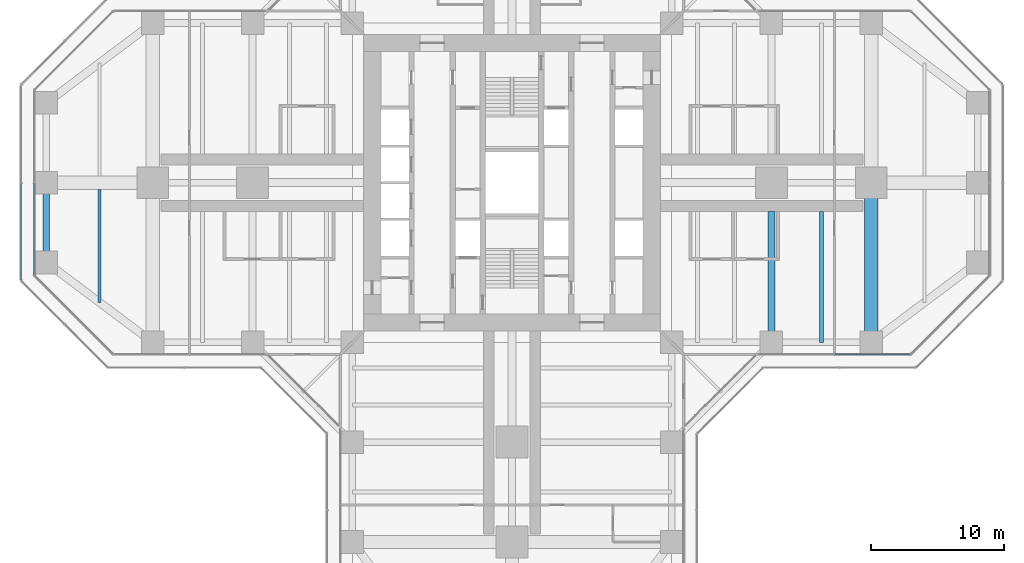
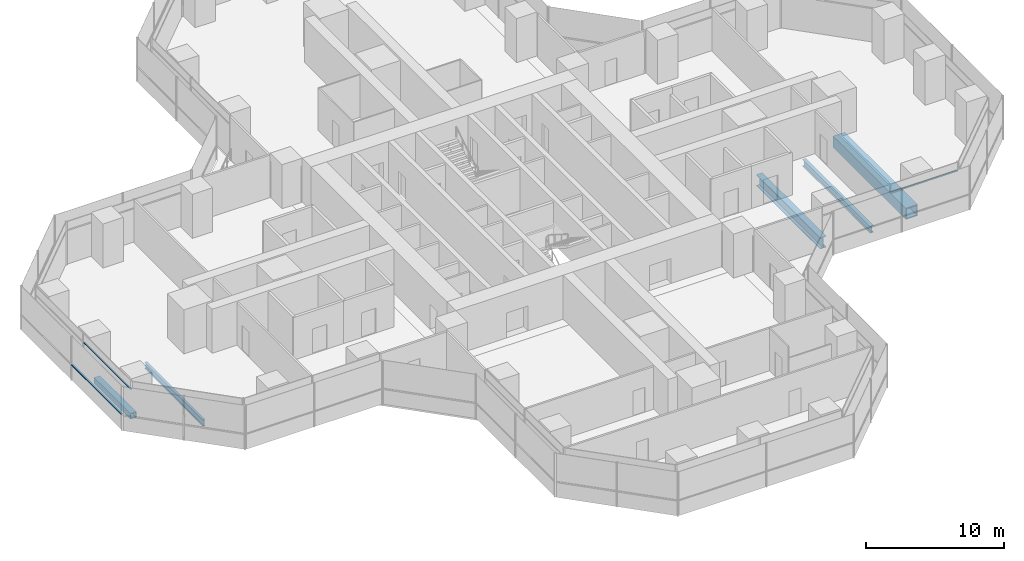
# One storey, part 7 of 22: 5 beams, 3 members, 3 elements without a shape of their own.
"""IFC4 building model written with IfcOpenShell, lengths in metres."""

from ifc_helpers import new_model, si_unit, direction, frame, origin, origin_2d, place, context, subcontext, project, spatial, rectangle, hollow_rectangle, i_section, extrude, material, material_profile, profile_set, type_object, element, aggregate, save


model = new_model("IFC4")

# Units and contexts
model_context = context("Model", 3, precision=1e-05, world=origin(), true_north=direction((0.0, 1.0)))
body_context = subcontext(model_context, "Body", "Model", "MODEL_VIEW")
ifc_project = project(units=[si_unit("LENGTHUNIT", "METRE"), si_unit("AREAUNIT", "SQUARE_METRE"), si_unit("VOLUMEUNIT", "CUBIC_METRE"), si_unit("PLANEANGLEUNIT", "RADIAN"), si_unit("MASSUNIT", "GRAM", prefix="KILO")], contexts=[model_context])

# Site, building, storey
site_placement = place(None, origin())
site = spatial("IfcSite", under=ifc_project, at=site_placement, CompositionType="ELEMENT")
building_placement = place(site_placement, origin())
building = spatial("IfcBuilding", under=site, at=building_placement, Name="Mizan Broadcast Tower", CompositionType="ELEMENT")
storey_placement = place(building_placement, frame((0.0, 0.0, 55.199951171875)))
storey = spatial("IfcBuildingStorey", under=building, at=storey_placement, Name="L10", CompositionType="ELEMENT", Elevation=55.199951171875)

# Beams
ifc_material_1 = material(Name="Steel S355", Category="steel")
ifc_material_profile_1 = material_profile(ifc_material_1, hollow_rectangle(XDim=0.5, YDim=0.5, WallThickness=0.030029296875, at=origin_2d()), Name="BOX 500x500x30")
ifc_profile_set_1 = profile_set([ifc_material_profile_1], Name="Steel S355")
beam_type_1 = type_object("IfcBeamType", Name="EDGE BEAM BOX 500x500x30", PredefinedType="SPANDREL", material=ifc_profile_set_1)
beam_1_placement = place(storey_placement, frame((-35.0, -5.639892578125, -0.3798828125), z_axis=(0.0, 1.0, 0.0), x_axis=(-1.0, 0.0, 0.0)))
element("IfcBeam", 1, at=beam_1_placement, inside=storey, type_object=beam_type_1, Name="Edge beam BOX 500x500x30 L10 west arm", PredefinedType="SPANDREL", context=body_context, shape_type="SweptSolid", body=[
    extrude(hollow_rectangle(XDim=0.5, YDim=0.5, WallThickness=0.030029296875, at=origin_2d()), origin(), (0.0, 0.0, 1.0), 5.27978515625),
])
ifc_material_2 = material(Name="Steel S460", Category="steel")
ifc_material_profile_2 = material_profile(ifc_material_2, hollow_rectangle(XDim=1.0, YDim=1.0, WallThickness=0.080078125, at=origin_2d()), Name="BOX 1000x1000x80")
ifc_profile_set_2 = profile_set([ifc_material_profile_2], Name="Steel S460")
beam_type_2 = type_object("IfcBeamType", Name="GIRDER BOX 1000x1000x80", PredefinedType="BEAM", material=ifc_profile_set_2)
beam_2_placement = place(storey_placement, frame((27.0, -11.280029296875, -0.6298828125), z_axis=(0.0, 1.0, 0.0), x_axis=(-1.0, 0.0, 0.0)))
element("IfcBeam", 2, at=beam_2_placement, inside=storey, type_object=beam_type_2, Name="Girder BOX 1000x1000x80 L10 east arm", PredefinedType="BEAM", context=body_context, shape_type="SweptSolid", body=[
    extrude(hollow_rectangle(XDim=1.0, YDim=1.0, WallThickness=0.080078125, at=origin_2d()), origin(), (0.0, 0.0, 1.0), 10.56005859375),
])
ifc_material_3 = material(Name="Steel S460", Category="steel")
ifc_material_profile_3 = material_profile(ifc_material_3, i_section(OverallWidth=0.5, OverallDepth=1.0, WebThickness=0.02490234375, FlangeThickness=0.050048828125, at=origin_2d()), Name="WPG 1000x500")
ifc_profile_set_3 = profile_set([ifc_material_profile_3], Name="Steel S460")
beam_type_3 = type_object("IfcBeamType", Name="GIRDER WPG 1000x500", PredefinedType="BEAM", material=ifc_profile_set_3)
beam_3_placement = place(storey_placement, frame((19.5, -11.408935546875, -0.6298828125), z_axis=(0.0, 1.0, 0.0), x_axis=(-1.0, 0.0, 0.0)))
element("IfcBeam", 3, at=beam_3_placement, inside=storey, type_object=beam_type_3, Name="Girder WPG 1000x500 L10 east arm", PredefinedType="BEAM", context=body_context, shape_type="SweptSolid", body=[
    extrude(i_section(OverallWidth=0.5, OverallDepth=1.0, WebThickness=0.02490234375, FlangeThickness=0.050048828125, at=origin_2d()), origin(), (0.0, 0.0, 1.0), 9.259033203125),
])

# Curtain wall, member
ifc_material_4 = material(Name="Aluminium framed glazing", Category="aluminium")
curtain_wall_type_1 = type_object("IfcCurtainWallType", Name="INNER SKIN LOW ZONE", PredefinedType="USERDEFINED", material=ifc_material_4)
curtain_wall_1_placement = place(storey_placement, origin())
curtain_wall_1 = element("IfcCurtainWall", 4, at=curtain_wall_1_placement, inside=storey, type_object=curtain_wall_type_1, Name="Inner skin low zone L10 E side", ObjectType="INNER SKIN LOW ZONE", PredefinedType="USERDEFINED")
ifc_material_5 = material(Name="Aluminium, pale anodised", Category="aluminium")
ifc_material_profile_4 = material_profile(ifc_material_5, rectangle(XDim=0.1201171875, YDim=0.06005859375, at=origin_2d()), Name="TRANSOM 120x60")
ifc_profile_set_4 = profile_set([ifc_material_profile_4], Name="Aluminium, pale anodised")
member_type_1 = type_object("IfcMemberType", Name="INNER SKIN TRANSOM 60x120", PredefinedType="USERDEFINED", material=ifc_profile_set_4)
member_1_placement = place(storey_placement, frame((24.25927734375, -12.89990234375, 3.030029296875), z_axis=(1.0, 0.0, 0.0), x_axis=(0.0, 1.0, 0.0)))
member_1 = element("IfcMember", 5, at=member_1_placement, type_object=member_type_1, Name="Inner skin low zone L10 E side transom 2.1", ObjectType="TRANSOM", PredefinedType="USERDEFINED", context=body_context, shape_type="SweptSolid", body=[
    extrude(rectangle(XDim=0.1201171875, YDim=0.06005859375, at=origin_2d()), origin(), (0.0, 0.0, 1.0), 5.639404296875),
])
aggregate(curtain_wall_1, [member_1])

curtain_wall_2_placement = place(storey_placement, origin())
curtain_wall_2 = element("IfcCurtainWall", 6, at=curtain_wall_2_placement, inside=storey, type_object=curtain_wall_type_1, Name="Inner skin low zone L10 W end", ObjectType="INNER SKIN LOW ZONE", PredefinedType="USERDEFINED")
member_2_placement = place(storey_placement, frame((-35.89990234375, -0.030029296875, 3.030029296875), z_axis=(0.0, -1.0, 0.0), x_axis=(1.0, 0.0, 0.0)))
member_2 = element("IfcMember", 7, at=member_2_placement, type_object=member_type_1, Name="Inner skin low zone L10 W end transom 2.1", ObjectType="TRANSOM", PredefinedType="USERDEFINED", context=body_context, shape_type="SweptSolid", body=[
    extrude(rectangle(XDim=0.1201171875, YDim=0.06005859375, at=origin_2d()), origin(), (0.0, 0.0, 1.0), 6.86865234375),
])
aggregate(curtain_wall_2, [member_2])

ifc_material_6 = material(Name="Aluminium framed glazing", Category="aluminium")
curtain_wall_type_2 = type_object("IfcCurtainWallType", Name="OUTER SKIN", PredefinedType="USERDEFINED", material=ifc_material_6)
curtain_wall_3_placement = place(storey_placement, origin())
curtain_wall_3 = element("IfcCurtainWall", 8, at=curtain_wall_3_placement, inside=storey, type_object=curtain_wall_type_2, Name="Outer skin L10 W end", ObjectType="OUTER SKIN", PredefinedType="USERDEFINED")
ifc_material_7 = material(Name="Aluminium, pale anodised", Category="aluminium")
ifc_material_profile_5 = material_profile(ifc_material_7, rectangle(XDim=0.159912109375, YDim=0.06005859375, at=origin_2d()), Name="TRANSOM 160x60")
ifc_profile_set_5 = profile_set([ifc_material_profile_5], Name="Aluminium, pale anodised")
member_type_2 = type_object("IfcMemberType", Name="OUTER SKIN TRANSOM 60x160", PredefinedType="USERDEFINED", material=ifc_profile_set_5)
member_3_placement = place(storey_placement, frame((-36.89990234375, -0.0400390625, 1.400146484375), z_axis=(0.0, -1.0, 0.0), x_axis=(1.0, 0.0, 0.0)))
member_3 = element("IfcMember", 9, at=member_3_placement, type_object=member_type_2, Name="Outer skin L10 W end transom 2.1", ObjectType="TRANSOM", PredefinedType="USERDEFINED", context=body_context, shape_type="SweptSolid", body=[
    extrude(rectangle(XDim=0.159912109375, YDim=0.06005859375, at=origin_2d()), origin(), (0.0, 0.0, 1.0), 7.252685546875),
])
aggregate(curtain_wall_3, [member_3])

# Beams
ifc_material_8 = material(Name="Steel S355", Category="steel")
ifc_material_profile_6 = material_profile(ifc_material_8, i_section(OverallWidth=0.300048828125, OverallDepth=0.590087890625, WebThickness=0.012939453125, FlangeThickness=0.02490234375, FilletRadius=0.027099609375, at=origin_2d()), Name="HEA 600")
ifc_profile_set_6 = profile_set([ifc_material_profile_6], Name="Steel S355")
beam_type_4 = type_object("IfcBeamType", Name="SECONDARY BEAM HEA 600", PredefinedType="JOIST", material=ifc_profile_set_6)
beam_4_placement = place(storey_placement, frame((23.25, -12.0, -0.425048828125), z_axis=(0.0, 1.0, 0.0), x_axis=(-1.0, 0.0, 0.0)))
element("IfcBeam", 10, at=beam_4_placement, inside=storey, type_object=beam_type_4, Name="Secondary beam HEA 600 L10 east arm", PredefinedType="JOIST", context=body_context, shape_type="SweptSolid", body=[
    extrude(i_section(OverallWidth=0.300048828125, OverallDepth=0.590087890625, WebThickness=0.012939453125, FlangeThickness=0.02490234375, FilletRadius=0.027099609375, at=origin_2d()), origin(), (0.0, 0.0, 1.0), 9.85009765625),
])
ifc_material_9 = material(Name="Steel S355", Category="steel")
ifc_material_profile_7 = material_profile(ifc_material_9, i_section(OverallWidth=0.2099609375, OverallDepth=0.550048828125, WebThickness=0.010986328125, FlangeThickness=0.01708984375, FilletRadius=0.02392578125, at=origin_2d()), Name="IPE 550")
ifc_profile_set_7 = profile_set([ifc_material_profile_7], Name="Steel S355")
beam_type_5 = type_object("IfcBeamType", Name="SECONDARY BEAM IPE 550", PredefinedType="JOIST", material=ifc_profile_set_7)
beam_5_placement = place(storey_placement, frame((-31.0, -9.0, -0.405029296875), z_axis=(0.0, 1.0, 0.0), x_axis=(-1.0, 0.0, 0.0)))
element("IfcBeam", 11, at=beam_5_placement, inside=storey, type_object=beam_type_5, Name="Secondary beam IPE 550 L10 west arm", PredefinedType="JOIST", context=body_context, shape_type="SweptSolid", body=[
    extrude(i_section(OverallWidth=0.2099609375, OverallDepth=0.550048828125, WebThickness=0.010986328125, FlangeThickness=0.01708984375, FilletRadius=0.02392578125, at=origin_2d()), origin(), (0.0, 0.0, 1.0), 8.5),
])

save(model, "model.ifc")
